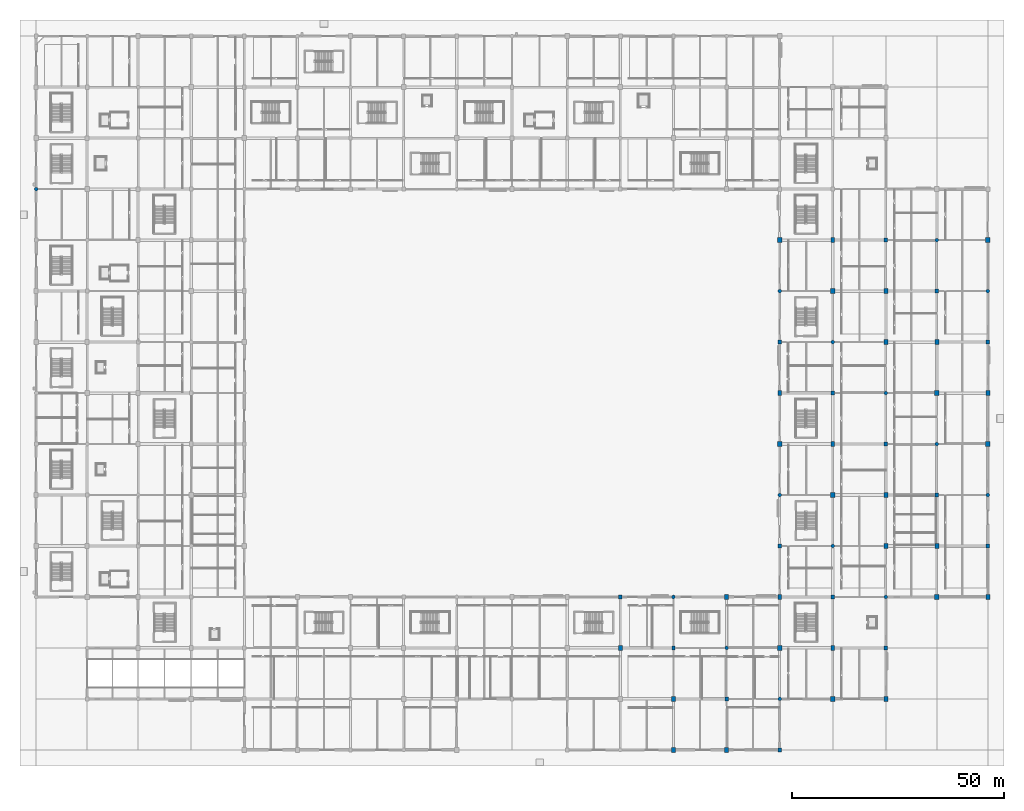
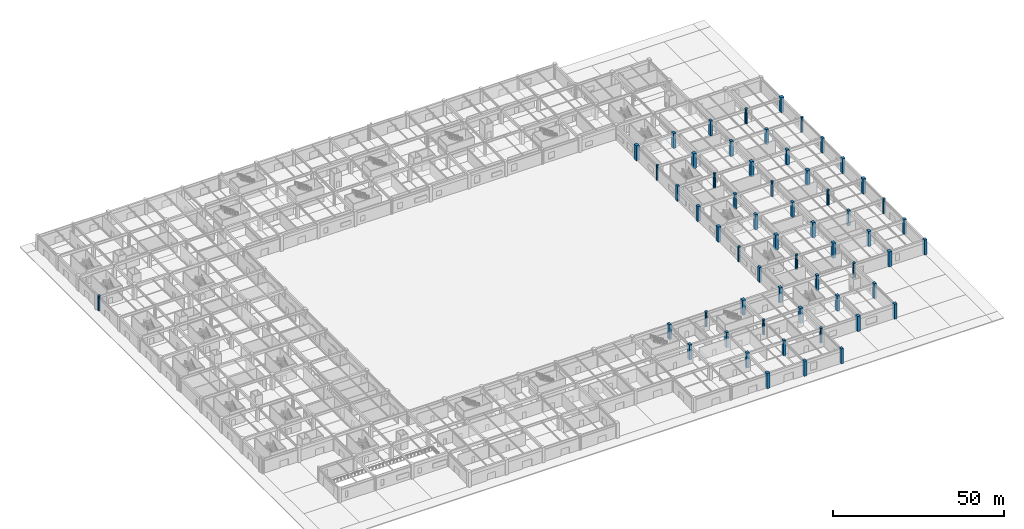
# One storey, part 2 of 69: 58 columns.
"""IFC4 building model written with IfcOpenShell, lengths in metres."""

from ifc_helpers import new_model, si_unit, direction, frame, origin, origin_2d, place, context, subcontext, project, spatial, rectangle, circle, extrude, material, material_profile, profile_set, type_object, element, save


model = new_model("IFC4")

# Units and contexts
model_context = context("Model", 3, precision=1e-05, world=origin(), true_north=direction((0.0, 1.0)))
body_context = subcontext(model_context, "Body", "Model", "MODEL_VIEW")
ifc_project = project(units=[si_unit("LENGTHUNIT", "METRE"), si_unit("AREAUNIT", "SQUARE_METRE"), si_unit("VOLUMEUNIT", "CUBIC_METRE"), si_unit("PLANEANGLEUNIT", "RADIAN"), si_unit("MASSUNIT", "GRAM", prefix="KILO")], contexts=[model_context])

# Site, building, storey
site_placement = place(None, origin())
site = spatial("IfcSite", under=ifc_project, at=site_placement, CompositionType="ELEMENT")
building_placement = place(site_placement, origin())
building = spatial("IfcBuilding", under=site, at=building_placement, Name="Kazenohara Klinker Stadium", CompositionType="ELEMENT")
storey_placement = place(building_placement, origin())
storey = spatial("IfcBuildingStorey", under=building, at=storey_placement, Name="L00", CompositionType="ELEMENT", Elevation=0.0)

# Columns
ifc_material = material(Name="Concrete C40/50", Category="concrete")
ifc_material_profile_1 = material_profile(ifc_material, rectangle(XDim=1.0, YDim=1.199951171875, at=origin_2d()), Name="RC-COL-1200x1000")
ifc_profile_set_1 = profile_set([ifc_material_profile_1], Name="Concrete C40/50")
column_type_1 = type_object("IfcColumnType", Name="COL-RC01", PredefinedType="COLUMN", material=ifc_profile_set_1)
for number, where, z_axis, x_axis, name in (
    (1, (150.0, 0.0, 0.0), (0.0, 0.0, 1.0), (1.0, 0.0, 0.0), "Column C01 L00 13/A"),
    (2, (162.5, 36.0, 0.0), (0.0, 0.0, 1.0), (1.0, 0.0, 0.0), "Column C01 L00 14/D"),
    (3, (175.0, 24.0, 0.0), (0.0, 0.0, 1.0), (1.0, 0.0, 0.0), "Column C01 L00 15/C"),
    (4, (175.0, 72.0, 0.0), (0.0, 0.0, 1.0), (1.0, 0.0, 0.0), "Column C01 L00 15/G"),
    (5, (175.0, 120.0, 0.0), (0.0, 0.0, 1.0), (1.0, 0.0, 0.0), "Column C01 L00 15/L"),
    (6, (187.5, 12.0, 0.0), (0.0, 0.0, 1.0), (1.0, 0.0, 0.0), "Column C01 L00 16/B"),
    (7, (187.5, 60.0, 0.0), (0.0, 0.0, 1.0), (1.0, 0.0, 0.0), "Column C01 L00 16/F"),
    (8, (187.5, 108.0, 0.0), (0.0, 0.0, 1.0), (1.0, 0.0, 0.0), "Column C01 L00 16/K"),
    (9, (200.0, 48.0, 0.0), (0.0, 0.0, 1.0), (1.0, 0.0, 0.0), "Column C01 L00 17/E"),
    (10, (200.0, 96.0, 0.0), (0.0, 0.0, 1.0), (1.0, 0.0, 0.0), "Column C01 L00 17/J"),
    (11, (212.0, 36.0, 0.0), (0.0, 0.0, 1.0), (1.0, 0.0, 0.0), "Column C01 L00 18/D"),
    (12, (212.0, 84.0, 0.0), (0.0, 0.0, 1.0), (1.0, 0.0, 0.0), "Column C01 L00 18/H"),
    (13, (224.0, 72.0, 0.0), (0.0, 0.0, 1.0), (1.0, 0.0, 0.0), "Column C01 L00 19/G"),
    (14, (224.0, 120.0, 0.0), (0.0, 0.0, 1.0), (1.0, 0.0, 0.0), "Column C01 L00 19/L"),
):
    element("IfcColumn", number, at=place(storey_placement, frame(where, z_axis=z_axis, x_axis=x_axis)), inside=storey, type_object=column_type_1, Name=name, PredefinedType="COLUMN", context=body_context, shape_type="SweptSolid", body=[
        extrude(rectangle(XDim=1.0, YDim=1.199951171875, at=origin_2d()), origin(), (0.0, 0.0, 1.0), 5.39990234375),
    ])
ifc_material_profile_2 = material_profile(ifc_material, rectangle(XDim=0.89990234375, YDim=1.10009765625, at=origin_2d()), Name="RC-COL-1100x900")
ifc_profile_set_2 = profile_set([ifc_material_profile_2], Name="Concrete C40/50")
column_type_2 = type_object("IfcColumnType", Name="COL-RC02", PredefinedType="COLUMN", material=ifc_profile_set_2)
for number, where, z_axis, x_axis, name in (
    (15, (137.5, 24.0, 0.0), (0.0, 0.0, 1.0), (1.0, 0.0, 0.0), "Column C02 L00 12/C"),
    (16, (150.0, 12.0, 0.0), (0.0, 0.0, 1.0), (1.0, 0.0, 0.0), "Column C02 L00 13/B"),
    (17, (162.5, 0.0, 0.0), (0.0, 0.0, 1.0), (1.0, 0.0, 0.0), "Column C02 L00 14/A"),
    (18, (175.0, 36.0, 0.0), (0.0, 0.0, 1.0), (1.0, 0.0, 0.0), "Column C02 L00 15/D"),
    (19, (175.0, 84.0, 0.0), (0.0, 0.0, 1.0), (1.0, 0.0, 0.0), "Column C02 L00 15/H"),
    (20, (187.5, 24.0, 0.0), (0.0, 0.0, 1.0), (1.0, 0.0, 0.0), "Column C02 L00 16/C"),
    (21, (187.5, 72.0, 0.0), (0.0, 0.0, 1.0), (1.0, 0.0, 0.0), "Column C02 L00 16/G"),
    (22, (187.5, 120.0, 0.0), (0.0, 0.0, 1.0), (1.0, 0.0, 0.0), "Column C02 L00 16/L"),
    (23, (200.0, 12.0, 0.0), (0.0, 0.0, 1.0), (1.0, 0.0, 0.0), "Column C02 L00 17/B"),
    (24, (200.0, 60.0, 0.0), (0.0, 0.0, 1.0), (1.0, 0.0, 0.0), "Column C02 L00 17/F"),
    (25, (200.0, 108.0, 0.0), (0.0, 0.0, 1.0), (1.0, 0.0, 0.0), "Column C02 L00 17/K"),
    (26, (212.0, 48.0, 0.0), (0.0, 0.0, 1.0), (1.0, 0.0, 0.0), "Column C02 L00 18/E"),
    (27, (212.0, 96.0, 0.0), (0.0, 0.0, 1.0), (1.0, 0.0, 0.0), "Column C02 L00 18/J"),
    (28, (224.0, 36.0, 0.0), (0.0, 0.0, 1.0), (1.0, 0.0, 0.0), "Column C02 L00 19/D"),
    (29, (224.0, 84.0, 0.0), (0.0, 0.0, 1.0), (1.0, 0.0, 0.0), "Column C02 L00 19/H"),
):
    element("IfcColumn", number, at=place(storey_placement, frame(where, z_axis=z_axis, x_axis=x_axis)), inside=storey, type_object=column_type_2, Name=name, PredefinedType="COLUMN", context=body_context, shape_type="SweptSolid", body=[
        extrude(rectangle(XDim=0.89990234375, YDim=1.10009765625, at=origin_2d()), origin(), (0.0, 0.0, 1.0), 5.39990234375),
    ])
ifc_material_profile_3 = material_profile(ifc_material, rectangle(XDim=0.800048828125, YDim=1.0, at=origin_2d()), Name="RC-COL-1000x800")
ifc_profile_set_3 = profile_set([ifc_material_profile_3], Name="Concrete C40/50")
column_type_3 = type_object("IfcColumnType", Name="COL-RC03", PredefinedType="COLUMN", material=ifc_profile_set_3)
for number, where, z_axis, x_axis, name in (
    (30, (137.5, 36.0, 0.0), (0.0, 0.0, 1.0), (1.0, 0.0, 0.0), "Column C03 L00 12/D"),
    (31, (150.0, 24.0, 0.0), (0.0, 0.0, 1.0), (1.0, 0.0, 0.0), "Column C03 L00 13/C"),
    (32, (162.5, 12.0, 0.0), (0.0, 0.0, 1.0), (1.0, 0.0, 0.0), "Column C03 L00 14/B"),
    (33, (175.0, 0.0, 0.0), (0.0, 0.0, 1.0), (1.0, 0.0, 0.0), "Column C03 L00 15/A"),
    (34, (175.0, 48.0, 0.0), (0.0, 0.0, 1.0), (1.0, 0.0, 0.0), "Column C03 L00 15/E"),
    (35, (175.0, 96.0, 0.0), (0.0, 0.0, 1.0), (1.0, 0.0, 0.0), "Column C03 L00 15/J"),
    (36, (187.5, 36.0, 0.0), (0.0, 0.0, 1.0), (1.0, 0.0, 0.0), "Column C03 L00 16/D"),
    (37, (187.5, 84.0, 0.0), (0.0, 0.0, 1.0), (1.0, 0.0, 0.0), "Column C03 L00 16/H"),
    (38, (200.0, 24.0, 0.0), (0.0, 0.0, 1.0), (1.0, 0.0, 0.0), "Column C03 L00 17/C"),
    (39, (200.0, 72.0, 0.0), (0.0, 0.0, 1.0), (1.0, 0.0, 0.0), "Column C03 L00 17/G"),
    (40, (200.0, 120.0, 0.0), (0.0, 0.0, 1.0), (1.0, 0.0, 0.0), "Column C03 L00 17/L"),
    (41, (212.0, 60.0, 0.0), (0.0, 0.0, 1.0), (1.0, 0.0, 0.0), "Column C03 L00 18/F"),
    (42, (212.0, 108.0, 0.0), (0.0, 0.0, 1.0), (1.0, 0.0, 0.0), "Column C03 L00 18/K"),
    (43, (224.0, 48.0, 0.0), (0.0, 0.0, 1.0), (1.0, 0.0, 0.0), "Column C03 L00 19/E"),
    (44, (224.0, 96.0, 0.0), (0.0, 0.0, 1.0), (1.0, 0.0, 0.0), "Column C03 L00 19/J"),
):
    element("IfcColumn", number, at=place(storey_placement, frame(where, z_axis=z_axis, x_axis=x_axis)), inside=storey, type_object=column_type_3, Name=name, PredefinedType="COLUMN", context=body_context, shape_type="SweptSolid", body=[
        extrude(rectangle(XDim=0.800048828125, YDim=1.0, at=origin_2d()), origin(), (0.0, 0.0, 1.0), 5.39990234375),
    ])
ifc_material_profile_4 = material_profile(ifc_material, circle(Radius=0.425048828125, at=origin_2d()), Name="RC-COL-D850")
ifc_profile_set_4 = profile_set([ifc_material_profile_4], Name="Concrete C40/50")
column_type_4 = type_object("IfcColumnType", Name="COL-RC08", PredefinedType="COLUMN", material=ifc_profile_set_4)
for number, where, z_axis, x_axis, name in (
    (45, (0.0, 132.0, 0.0), (0.0, 0.0, 1.0), (1.0, 0.0, 0.0), "Column C08 L00 1/M"),
    (46, (150.0, 36.0, 0.0), (0.0, 0.0, 1.0), (1.0, 0.0, 0.0), "Column C08 L00 13/D"),
    (47, (162.5, 24.0, 0.0), (0.0, 0.0, 1.0), (1.0, 0.0, 0.0), "Column C08 L00 14/C"),
    (48, (175.0, 12.0, 0.0), (0.0, 0.0, 1.0), (1.0, 0.0, 0.0), "Column C08 L00 15/B"),
    (49, (175.0, 60.0, 0.0), (0.0, 0.0, 1.0), (1.0, 0.0, 0.0), "Column C08 L00 15/F"),
    (50, (175.0, 108.0, 0.0), (0.0, 0.0, 1.0), (1.0, 0.0, 0.0), "Column C08 L00 15/K"),
    (51, (187.5, 48.0, 0.0), (0.0, 0.0, 1.0), (1.0, 0.0, 0.0), "Column C08 L00 16/E"),
    (52, (187.5, 96.0, 0.0), (0.0, 0.0, 1.0), (1.0, 0.0, 0.0), "Column C08 L00 16/J"),
    (53, (200.0, 36.0, 0.0), (0.0, 0.0, 1.0), (1.0, 0.0, 0.0), "Column C08 L00 17/D"),
    (54, (200.0, 84.0, 0.0), (0.0, 0.0, 1.0), (1.0, 0.0, 0.0), "Column C08 L00 17/H"),
    (55, (212.0, 72.0, 0.0), (0.0, 0.0, 1.0), (1.0, 0.0, 0.0), "Column C08 L00 18/G"),
    (56, (212.0, 120.0, 0.0), (0.0, 0.0, 1.0), (1.0, 0.0, 0.0), "Column C08 L00 18/L"),
    (57, (224.0, 60.0, 0.0), (0.0, 0.0, 1.0), (1.0, 0.0, 0.0), "Column C08 L00 19/F"),
    (58, (224.0, 108.0, 0.0), (0.0, 0.0, 1.0), (1.0, 0.0, 0.0), "Column C08 L00 19/K"),
):
    element("IfcColumn", number, at=place(storey_placement, frame(where, z_axis=z_axis, x_axis=x_axis)), inside=storey, type_object=column_type_4, Name=name, PredefinedType="COLUMN", context=body_context, shape_type="SweptSolid", body=[
        extrude(circle(Radius=0.425048828125, at=origin_2d()), origin(), (0.0, 0.0, 1.0), 5.39990234375),
    ])

save(model, "model.ifc")
